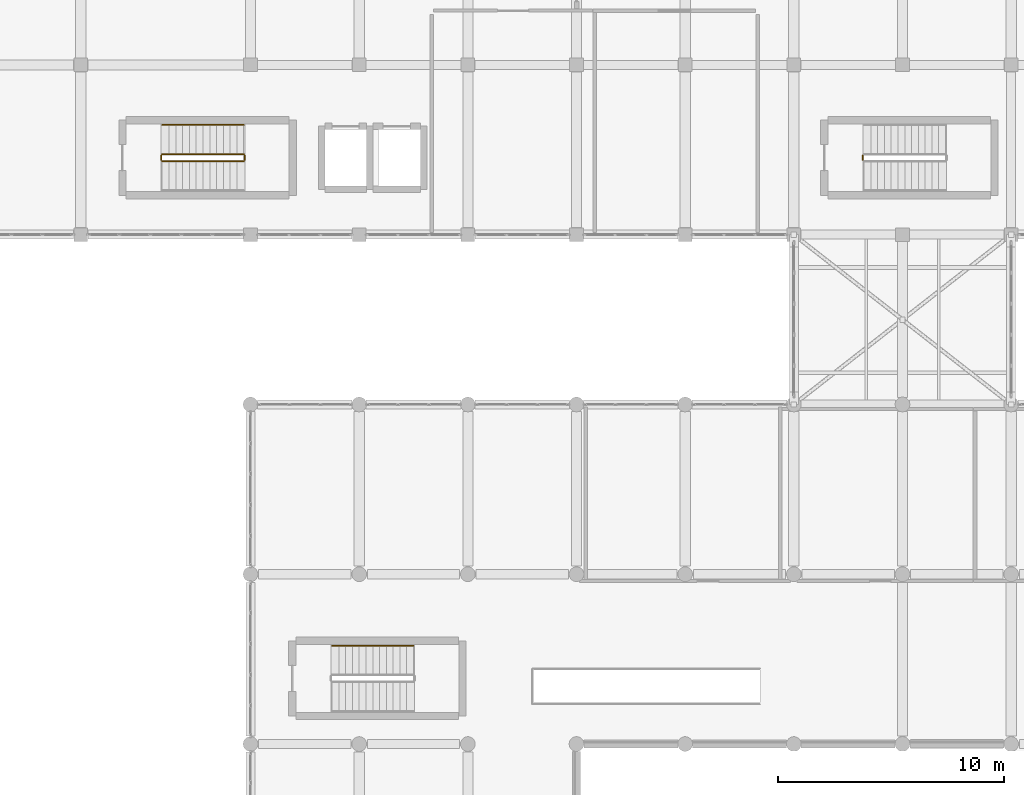
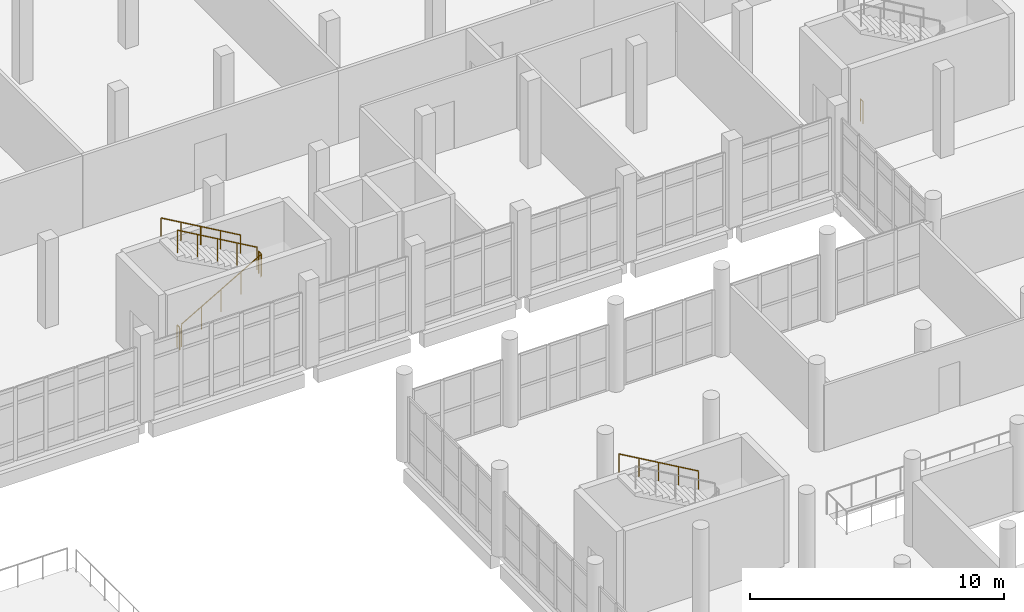
# One storey, part 160 of 164: 7 railings.
"""IFC4 building model written with IfcOpenShell, lengths in metres."""

from ifc_helpers import new_model, si_unit, direction, frame, origin, origin_2d, place, context, subcontext, project, spatial, circle, extrude, material, type_object, element, save


model = new_model("IFC4")

# Units and contexts
model_context = context("Model", 3, precision=1e-05, world=origin(), true_north=direction((0.0, 1.0)))
body_context = subcontext(model_context, "Body", "Model", "MODEL_VIEW")
ifc_project = project(units=[si_unit("LENGTHUNIT", "METRE"), si_unit("AREAUNIT", "SQUARE_METRE"), si_unit("VOLUMEUNIT", "CUBIC_METRE"), si_unit("PLANEANGLEUNIT", "RADIAN"), si_unit("MASSUNIT", "GRAM", prefix="KILO")], contexts=[model_context])

# Site, building, storey
site_placement = place(None, origin())
site = spatial("IfcSite", under=ifc_project, at=site_placement, CompositionType="ELEMENT")
building_placement = place(site_placement, origin())
building = spatial("IfcBuilding", under=site, at=building_placement, Name="Mawjan Specialist Oncology Clinic", CompositionType="ELEMENT")
storey_placement = place(building_placement, frame((0.0, 0.0, 5.0)))
storey = spatial("IfcBuildingStorey", under=building, at=storey_placement, Name="L01", CompositionType="ELEMENT", Elevation=5.0)

# Railings
ifc_material_1 = material(Name="Powder-coated steel stair guard with vertical infill pickets", Category="steel")
railing_type_1 = type_object("IfcRailingType", Name="GR-110", PredefinedType="GUARDRAIL", material=ifc_material_1)
railing_1_placement = place(storey_placement, frame((56.10009765625, 86.550048828125, 0.173095703125)))
element("IfcRailing", 1, at=railing_1_placement, inside=storey, type_object=railing_type_1, Name="L01 ST-03 stair guard 1", PredefinedType="GUARDRAIL", context=body_context, shape_type="SweptSolid", body=[
    extrude(circle(Radius=0.02392578125, at=origin_2d()), frame((0.0, 0.0, 1.076171875), z_axis=(0.866178740119, 0.0, 0.499734319579), x_axis=(0.0, 1.0, 0.0)), (0.0, 0.0, 1.0), 4.156005859375),
    extrude(circle(Radius=0.02099609375, at=origin_2d()), origin(), (0.0, 0.0, 1.0), 1.052001953125),
    extrude(circle(Radius=0.02099609375, at=origin_2d()), frame((0.89990234375, 0.0, 0.519287109375)), (0.0, 0.0, 1.0), 1.052001953125),
    extrude(circle(Radius=0.02099609375, at=origin_2d()), frame((1.7998046875, 0.0, 1.03857421875)), (0.0, 0.0, 1.0), 1.052001953125),
    extrude(circle(Radius=0.02099609375, at=origin_2d()), frame((2.699951171875, 0.0, 1.5576171875)), (0.0, 0.0, 1.0), 1.052001953125),
    extrude(circle(Radius=0.02099609375, at=origin_2d()), frame((3.599853515625, 0.0, 2.076904296875)), (0.0, 0.0, 1.0), 1.052001953125),
])
railing_2_placement = place(storey_placement, frame((59.75, 86.60009765625, 2.25)))
element("IfcRailing", 2, at=railing_2_placement, inside=storey, type_object=railing_type_1, Name="L01 ST-03 stair guard 2", PredefinedType="GUARDRAIL", context=body_context, shape_type="SweptSolid", body=[
    extrude(circle(Radius=0.02392578125, at=origin_2d()), frame((0.0, 0.0, 1.076171875), z_axis=(0.0, 1.0, 0.0), x_axis=(-1.0, 0.0, 0.0)), (0.0, 0.0, 1.0), 0.199951171875),
    extrude(circle(Radius=0.02099609375, at=origin_2d()), origin(), (0.0, 0.0, 1.0), 1.052001953125),
    extrude(circle(Radius=0.02099609375, at=origin_2d()), frame((0.0, 0.199951171875, 0.0)), (0.0, 0.0, 1.0), 1.052001953125),
])
railing_3_placement = place(storey_placement, frame((59.699951171875, 86.85009765625, 2.423095703125)))
element("IfcRailing", 3, at=railing_3_placement, inside=storey, type_object=railing_type_1, Name="L01 ST-03 stair guard 3", PredefinedType="GUARDRAIL", context=body_context, shape_type="SweptSolid", body=[
    extrude(circle(Radius=0.02392578125, at=origin_2d()), frame((0.0, 0.0, 1.076171875), z_axis=(-0.866178740119, 0.0, 0.499734319579), x_axis=(0.0, -1.0, 0.0)), (0.0, 0.0, 1.0), 4.156005859375),
    extrude(circle(Radius=0.02099609375, at=origin_2d()), origin(), (0.0, 0.0, 1.0), 1.052001953125),
    extrude(circle(Radius=0.02099609375, at=origin_2d()), frame((-0.89990234375, 0.0, 0.519287109375)), (0.0, 0.0, 1.0), 1.052001953125),
    extrude(circle(Radius=0.02099609375, at=origin_2d()), frame((-1.7998046875, 0.0, 1.03857421875)), (0.0, 0.0, 1.0), 1.052001953125),
    extrude(circle(Radius=0.02099609375, at=origin_2d()), frame((-2.699951171875, 0.0, 1.5576171875)), (0.0, 0.0, 1.0), 1.052001953125),
    extrude(circle(Radius=0.02099609375, at=origin_2d()), frame((-3.599853515625, 0.0, 2.076904296875)), (0.0, 0.0, 1.0), 1.052001953125),
])
for number, where, name in (
    (4, (56.050048828125, 86.60009765625, 0.0), "L01 ST-03 stair guard 4"),
    (5, (87.050048828125, 86.60009765625, 0.0), "L01 ST-04 stair guard 4"),
):
    element("IfcRailing", number, at=place(storey_placement, frame(where)), inside=storey, type_object=railing_type_1, Name=name, PredefinedType="GUARDRAIL", context=body_context, shape_type="SweptSolid", body=[
        extrude(circle(Radius=0.02392578125, at=origin_2d()), frame((0.0, 0.0, 1.076171875), z_axis=(0.0, 1.0, 0.0), x_axis=(-1.0, 0.0, 0.0)), (0.0, 0.0, 1.0), 0.199951171875),
        extrude(circle(Radius=0.02099609375, at=origin_2d()), origin(), (0.0, 0.0, 1.0), 1.052001953125),
        extrude(circle(Radius=0.02099609375, at=origin_2d()), frame((0.0, 0.199951171875, 0.0)), (0.0, 0.0, 1.0), 1.052001953125),
    ])
ifc_material_2 = material(Name="Brushed stainless-steel tubular handrail", Category="steel")
railing_type_2 = type_object("IfcRailingType", Name="HR-090", PredefinedType="HANDRAIL", material=ifc_material_2)
for number, where, name in (
    (6, (59.699951171875, 88.14990234375, 2.423095703125), "L01 ST-03 stair handrail 2"),
    (7, (67.199951171875, 65.14990234375, 2.423095703125), "L01 ST-07 stair handrail 2"),
):
    element("IfcRailing", number, at=place(storey_placement, frame(where)), inside=storey, type_object=railing_type_2, Name=name, PredefinedType="HANDRAIL", context=body_context, shape_type="SweptSolid", body=[
        extrude(circle(Radius=0.02392578125, at=origin_2d()), frame((0.0, 0.0, 0.8759765625), z_axis=(-0.866178740119, 0.0, 0.499734319579), x_axis=(0.0, -1.0, 0.0)), (0.0, 0.0, 1.0), 4.156005859375),
        extrude(circle(Radius=0.02099609375, at=origin_2d()), origin(), (0.0, 0.0, 1.0), 0.851806640625),
        extrude(circle(Radius=0.02099609375, at=origin_2d()), frame((-0.89990234375, 0.0, 0.519287109375)), (0.0, 0.0, 1.0), 0.851806640625),
        extrude(circle(Radius=0.02099609375, at=origin_2d()), frame((-1.7998046875, 0.0, 1.03857421875)), (0.0, 0.0, 1.0), 0.851806640625),
        extrude(circle(Radius=0.02099609375, at=origin_2d()), frame((-2.699951171875, 0.0, 1.5576171875)), (0.0, 0.0, 1.0), 0.851806640625),
        extrude(circle(Radius=0.02099609375, at=origin_2d()), frame((-3.599853515625, 0.0, 2.076904296875)), (0.0, 0.0, 1.0), 0.851806640625),
    ])

save(model, "model.ifc")
